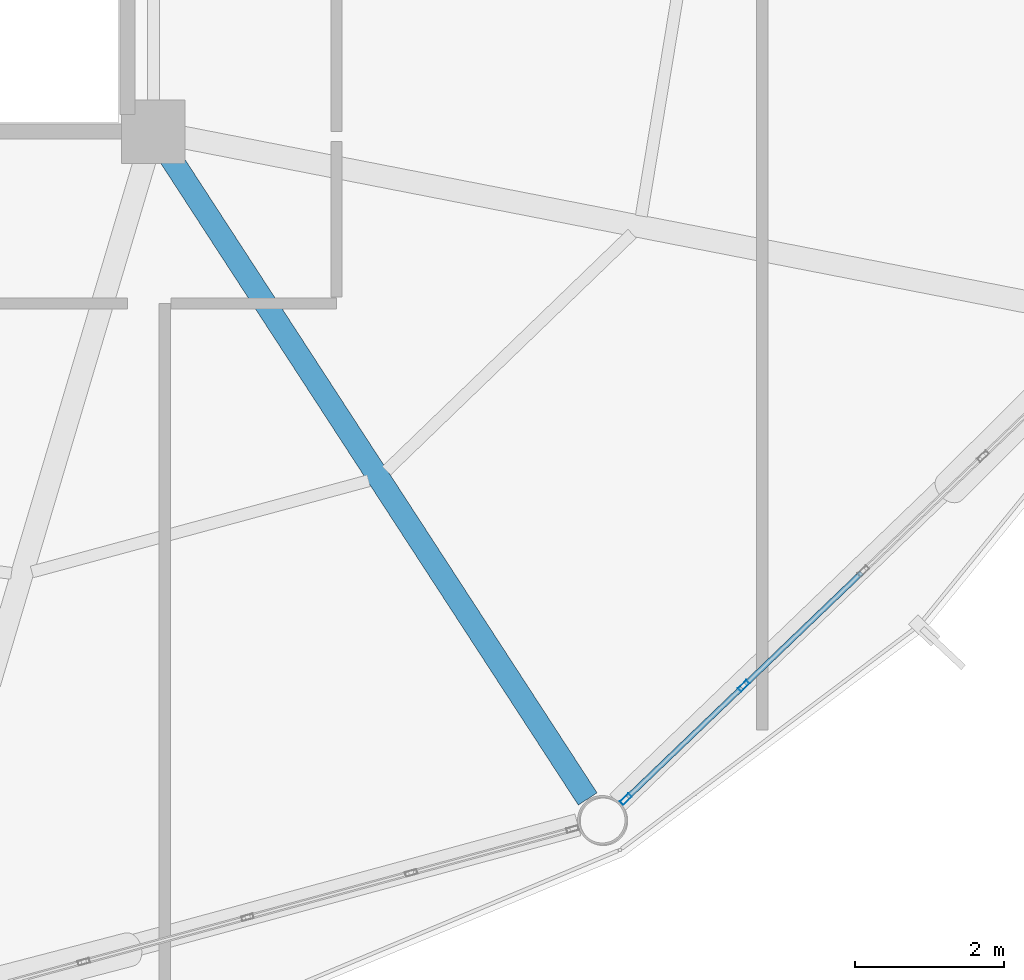
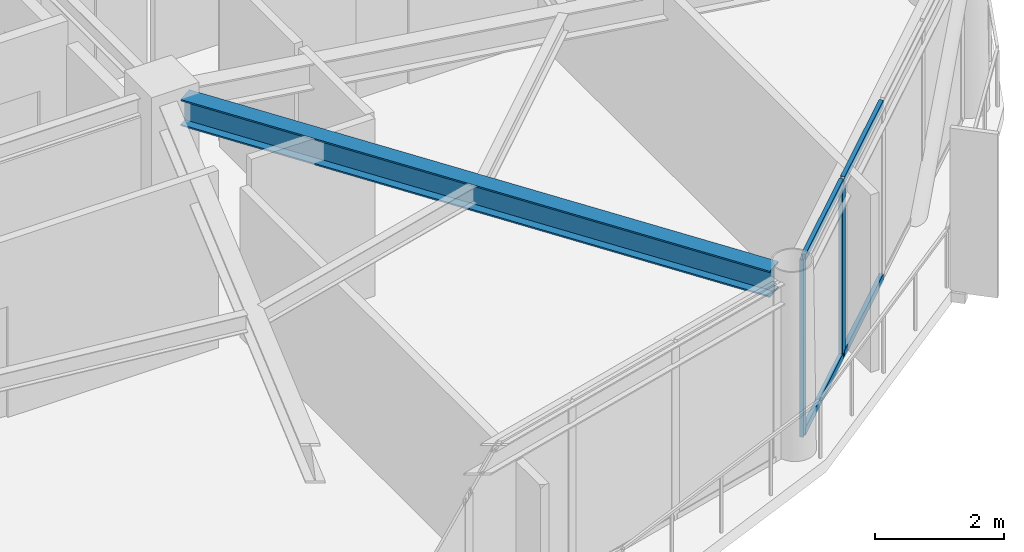
# One storey, part 9 of 28: 6 members, 1 beam, 1 element without a shape of its own.
"""IFC4 building model written with IfcOpenShell, lengths in metres."""

from ifc_helpers import new_model, si_unit, direction, frame, origin, origin_2d, place, context, subcontext, project, spatial, hollow_rectangle, i_section, extrude, material, layer, layer_set, material_profile, profile_set, type_object, element, aggregate, save


model = new_model("IFC4")

# Units and contexts
model_context = context("Model", 3, precision=1e-05, world=origin(), true_north=direction((0.0, 1.0)))
body_context = subcontext(model_context, "Body", "Model", "MODEL_VIEW")
ifc_project = project(units=[si_unit("LENGTHUNIT", "METRE"), si_unit("AREAUNIT", "SQUARE_METRE"), si_unit("VOLUMEUNIT", "CUBIC_METRE"), si_unit("PLANEANGLEUNIT", "RADIAN"), si_unit("MASSUNIT", "GRAM", prefix="KILO")], contexts=[model_context])

# Site, building, storey
site_placement = place(None, origin())
site = spatial("IfcSite", under=ifc_project, at=site_placement, CompositionType="ELEMENT")
building_placement = place(site_placement, origin())
building = spatial("IfcBuilding", under=site, at=building_placement, Name="Varnakorn Sky Granary", CompositionType="ELEMENT")
storey_placement = place(building_placement, frame((0.0, 0.0, 211.199951171875)))
storey = spatial("IfcBuildingStorey", under=building, at=storey_placement, Name="L53", CompositionType="ELEMENT", Elevation=211.199951171875)

# Beam
ifc_material_1 = material(Name="Steel S355JR", Category="steel")
ifc_material_profile_1 = material_profile(ifc_material_1, i_section(OverallWidth=0.300048828125, OverallDepth=0.5, WebThickness=0.014404296875, FlangeThickness=0.028076171875, at=origin_2d()), Name="HE 500 B")
ifc_profile_set_1 = profile_set([ifc_material_profile_1], Name="Steel S355JR")
beam_type = type_object("IfcBeamType", Name="BM-RAD-Z4", PredefinedType="BEAM", material=ifc_profile_set_1)
beam_placement = place(storey_placement, frame((8.57080078125, -6.939453125, 3.110107421875), z_axis=(0.545390839225, -0.838181861226, 0.0), x_axis=(0.838181861226, 0.545390839225, 0.0)))
element("IfcBeam", 1, at=beam_placement, inside=storey, type_object=beam_type, Name="Radial Floor Girder RG11 L53", PredefinedType="BEAM", context=body_context, shape_type="SweptSolid", body=[
    extrude(i_section(OverallWidth=0.300048828125, OverallDepth=0.5, WebThickness=0.014404296875, FlangeThickness=0.028076171875, at=origin_2d()), origin(), (0.0, 0.0, 1.0), 10.253662109375),
])

# Curtain wall, members
ifc_material_2 = material(Name="Anodised Bronze Aluminium Alloy 6063-T6", Category="aluminium")
ifc_layer = layer(ifc_material_2, 0.169921875, Name="Anodised Bronze Aluminium Alloy 6063-T6")
ifc_layer_set = layer_set([ifc_layer], Name="Anodised Bronze Aluminium Alloy 6063-T6")
curtain_wall_type = type_object("IfcCurtainWallType", Name="CW-LAB-1", PredefinedType="USERDEFINED", material=ifc_layer_set)
curtain_wall_placement = place(storey_placement, origin())
curtain_wall = element("IfcCurtainWall", 2, at=curtain_wall_placement, inside=storey, type_object=curtain_wall_type, Name="Unitised Curtain Wall CW5 CW-L53-B11", ObjectType="CURTAIN WALL", PredefinedType="USERDEFINED")
ifc_material_profile_2 = material_profile(ifc_material_2, hollow_rectangle(XDim=0.06494140625, YDim=0.159912109375, WallThickness=0.00341796875, at=origin_2d()), Name="ALU MULL 65x160")
ifc_profile_set_2 = profile_set([ifc_material_profile_2], Name="Anodised Bronze Aluminium Alloy 6063-T6")
member_type_1 = type_object("IfcMemberType", Name="CW-LAB-1-MULL", PredefinedType="MULLION", material=ifc_profile_set_2)
member_1_placement = place(storey_placement, frame((16.251708984375, -14.02001953125, 0.0), z_axis=(0.0, 0.0, 1.0), x_axis=(0.692516121649, -0.721402398982, 0.0)))
member_1 = element("IfcMember", 3, at=member_1_placement, type_object=member_type_1, Name="CW5 mullion 4", PredefinedType="MULLION", context=body_context, shape_type="SweptSolid", body=[
    extrude(hollow_rectangle(XDim=0.06494140625, YDim=0.159912109375, WallThickness=0.00341796875, at=origin_2d()), origin(), (0.0, 0.0, 1.0), 3.360107421875),
])
member_2_placement = place(storey_placement, frame((14.673828125, -15.534912109375, 0.0), z_axis=(0.0, 0.0, 1.0), x_axis=(0.692516121649, -0.721402398982, 0.0)))
member_2 = element("IfcMember", 4, at=member_2_placement, type_object=member_type_1, Name="CW5 mullion 5", PredefinedType="MULLION", context=body_context, shape_type="SweptSolid", body=[
    extrude(hollow_rectangle(XDim=0.06494140625, YDim=0.159912109375, WallThickness=0.00341796875, at=origin_2d()), origin(), (0.0, 0.0, 1.0), 3.360107421875),
])
ifc_material_profile_3 = material_profile(ifc_material_2, hollow_rectangle(XDim=0.070068359375, YDim=0.139892578125, WallThickness=0.00341796875, at=origin_2d()), Name="ALU TRAN 70x140")
ifc_profile_set_3 = profile_set([ifc_material_profile_3], Name="Anodised Bronze Aluminium Alloy 6063-T6")
member_type_2 = type_object("IfcMemberType", Name="CW-LAB-1-TRAN", PredefinedType="USERDEFINED", material=ifc_profile_set_3)
member_3_placement = place(storey_placement, frame((17.829833984375, -12.50537109375, 0.03515625), z_axis=(-0.721459765229, -0.692456357582, 0.0), x_axis=(0.692456357582, -0.721459765229, 0.0)))
member_3 = element("IfcMember", 5, at=member_3_placement, type_object=member_type_2, Name="CW5 transom 3.1", ObjectType="TRANSOM", PredefinedType="USERDEFINED", context=body_context, shape_type="SweptSolid", body=[
    extrude(hollow_rectangle(XDim=0.070068359375, YDim=0.139892578125, WallThickness=0.00341796875, at=origin_2d()), origin(), (0.0, 0.0, 1.0), 2.155029296875),
])
member_4_placement = place(storey_placement, frame((17.829833984375, -12.50537109375, 3.324951171875), z_axis=(-0.721459765229, -0.692456357582, 0.0), x_axis=(0.692456357582, -0.721459765229, 0.0)))
member_4 = element("IfcMember", 6, at=member_4_placement, type_object=member_type_2, Name="CW5 transom 3.2", ObjectType="TRANSOM", PredefinedType="USERDEFINED", context=body_context, shape_type="SweptSolid", body=[
    extrude(hollow_rectangle(XDim=0.070068359375, YDim=0.139892578125, WallThickness=0.00341796875, at=origin_2d()), origin(), (0.0, 0.0, 1.0), 2.155029296875),
])
member_5_placement = place(storey_placement, frame((16.228271484375, -14.04248046875, 0.03515625), z_axis=(-0.721339047848, -0.692582109248, 0.0), x_axis=(0.692582109248, -0.721339047848, 0.0)))
member_5 = element("IfcMember", 7, at=member_5_placement, type_object=member_type_2, Name="CW5 transom 4.1", ObjectType="TRANSOM", PredefinedType="USERDEFINED", context=body_context, shape_type="SweptSolid", body=[
    extrude(hollow_rectangle(XDim=0.070068359375, YDim=0.139892578125, WallThickness=0.00341796875, at=origin_2d()), origin(), (0.0, 0.0, 1.0), 2.12255859375),
])
member_6_placement = place(storey_placement, frame((16.228271484375, -14.04248046875, 3.324951171875), z_axis=(-0.721339047848, -0.692582109248, 0.0), x_axis=(0.692582109248, -0.721339047848, 0.0)))
member_6 = element("IfcMember", 8, at=member_6_placement, type_object=member_type_2, Name="CW5 transom 4.2", ObjectType="TRANSOM", PredefinedType="USERDEFINED", context=body_context, shape_type="SweptSolid", body=[
    extrude(hollow_rectangle(XDim=0.070068359375, YDim=0.139892578125, WallThickness=0.00341796875, at=origin_2d()), origin(), (0.0, 0.0, 1.0), 2.12255859375),
])
aggregate(curtain_wall, [member_1, member_2, member_3, member_4, member_5, member_6])

save(model, "model.ifc")
